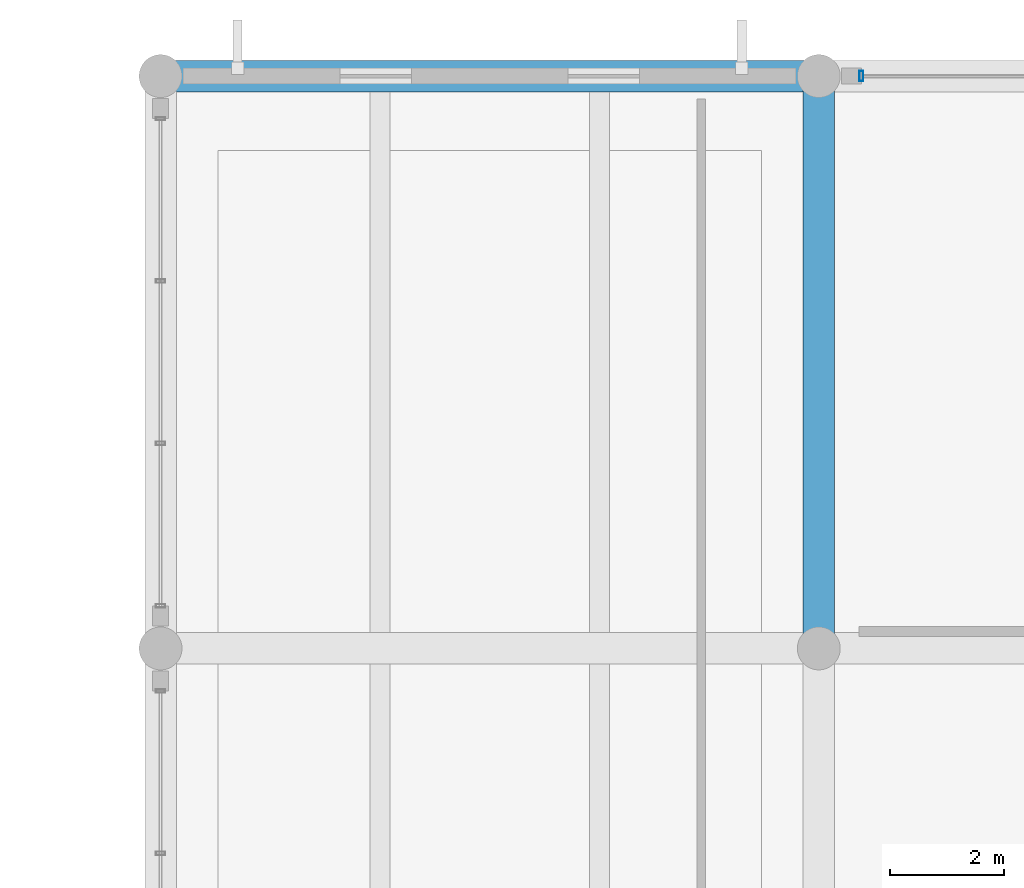
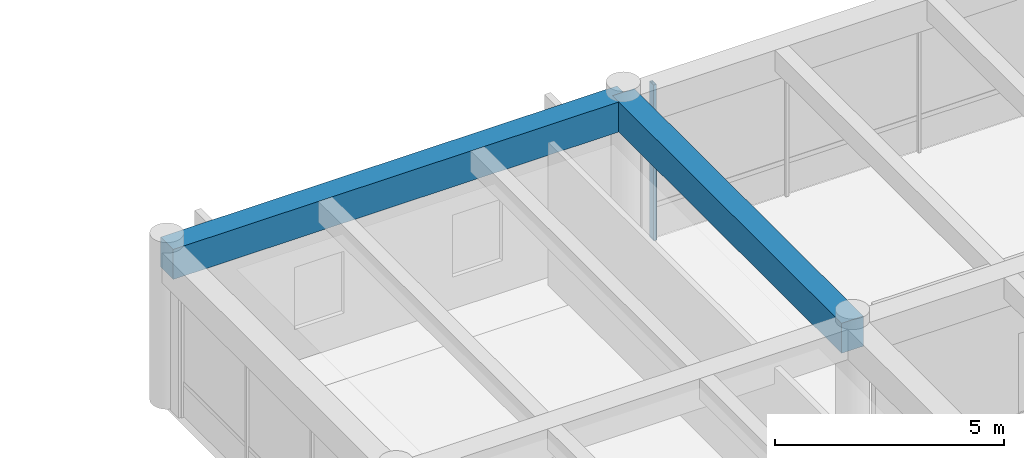
# One storey, part 9 of 27: 2 beams, 1 member, 1 element without a shape of its own.
"""IFC4 building model written with IfcOpenShell, lengths in metres."""

from ifc_helpers import new_model, si_unit, direction, frame, origin, origin_2d, place, context, subcontext, project, spatial, rectangle, hollow_rectangle, extrude, material, material_profile, profile_set, type_object, element, aggregate, save


model = new_model("IFC4")

# Units and contexts
model_context = context("Model", 3, precision=1e-05, world=origin(), true_north=direction((0.0, 1.0)))
body_context = subcontext(model_context, "Body", "Model", "MODEL_VIEW")
ifc_project = project(units=[si_unit("LENGTHUNIT", "METRE"), si_unit("AREAUNIT", "SQUARE_METRE"), si_unit("VOLUMEUNIT", "CUBIC_METRE"), si_unit("PLANEANGLEUNIT", "RADIAN"), si_unit("MASSUNIT", "GRAM", prefix="KILO")], contexts=[model_context])

# Site, building, storey
site_placement = place(None, origin())
site = spatial("IfcSite", under=ifc_project, at=site_placement, CompositionType="ELEMENT")
building_placement = place(site_placement, origin())
building = spatial("IfcBuilding", under=site, at=building_placement, Name="Ologun Quay Terminus", CompositionType="ELEMENT")
storey_placement = place(building_placement, frame((0.0, 0.0, 22.4599609375)))
storey = spatial("IfcBuildingStorey", under=building, at=storey_placement, Name="L05", CompositionType="ELEMENT", Elevation=22.4599609375)

# Beams
ifc_material_1 = material(Name="Concrete C40/50", Category="concrete")
ifc_material_profile_1 = material_profile(ifc_material_1, rectangle(XDim=0.550048828125, YDim=0.800048828125, at=origin_2d()), Name="RC 550x800")
ifc_profile_set_1 = profile_set([ifc_material_profile_1], Name="Concrete C40/50")
beam_type = type_object("IfcBeamType", Name="Courtyard Wing Primary Girder 550x800", PredefinedType="BEAM", material=ifc_profile_set_1)
beam_1_placement = place(storey_placement, frame((115.0, 114.800048828125, 3.760009765625), z_axis=(1.0, 0.0, 0.0), x_axis=(0.0, 1.0, 0.0)))
element("IfcBeam", 1, at=beam_1_placement, inside=storey, type_object=beam_type, Name="B4 Beam 11/K L05", PredefinedType="BEAM", context=body_context, shape_type="SweptSolid", body=[
    extrude(rectangle(XDim=0.550048828125, YDim=0.800048828125, at=origin_2d()), origin(), (0.0, 0.0, 1.0), 11.5),
])
beam_2_placement = place(storey_placement, frame((126.5, 104.800048828125, 3.760009765625), z_axis=(0.0, 1.0, 0.0), x_axis=(-1.0, 0.0, 0.0)))
element("IfcBeam", 2, at=beam_2_placement, inside=storey, type_object=beam_type, Name="B4 Beam 12/J L05", PredefinedType="BEAM", context=body_context, shape_type="SweptSolid", body=[
    extrude(rectangle(XDim=0.550048828125, YDim=0.800048828125, at=origin_2d()), origin(), (0.0, 0.0, 1.0), 10.0),
])

# Curtain wall, member
ifc_material_2 = material(Name="Aluminium 6063-T6", Category="aluminium")
curtain_wall_type = type_object("IfcCurtainWallType", Name="Operations Wing Canteen Curtain Wall L05 10600x4050", PredefinedType="USERDEFINED", material=ifc_material_2)
curtain_wall_placement = place(storey_placement, origin())
curtain_wall = element("IfcCurtainWall", 3, at=curtain_wall_placement, inside=storey, type_object=curtain_wall_type, Name="CW-28 Curtain Wall CW-L05-154", ObjectType="UNITISED CURTAIN WALL", PredefinedType="USERDEFINED")
ifc_material_3 = material(Name="Aluminium 6063-T6", Category="aluminium")
ifc_material_profile_2 = material_profile(ifc_material_3, hollow_rectangle(XDim=0.070068359375, YDim=0.179931640625, WallThickness=0.0048828125, at=origin_2d()), Name="ALU 180x70x5")
ifc_profile_set_2 = profile_set([ifc_material_profile_2], Name="Aluminium 6063-T6")
member_type = type_object("IfcMemberType", Name="Curtain Wall Heavy Mullion 180x70", PredefinedType="MULLION", material=ifc_profile_set_2)
member_placement = place(storey_placement, frame((127.2451171875, 114.800048828125, 0.0), z_axis=(0.0, 0.0, 1.0), x_axis=(1.0, 0.0, 0.0)))
member = element("IfcMember", 4, at=member_placement, type_object=member_type, Name="CW-L05-154 Mullion 1", PredefinedType="MULLION", context=body_context, shape_type="SweptSolid", body=[
    extrude(hollow_rectangle(XDim=0.070068359375, YDim=0.179931640625, WallThickness=0.0048828125, at=origin_2d()), origin(), (0.0, 0.0, 1.0), 4.150146484375),
])
aggregate(curtain_wall, [member])

save(model, "model.ifc")
